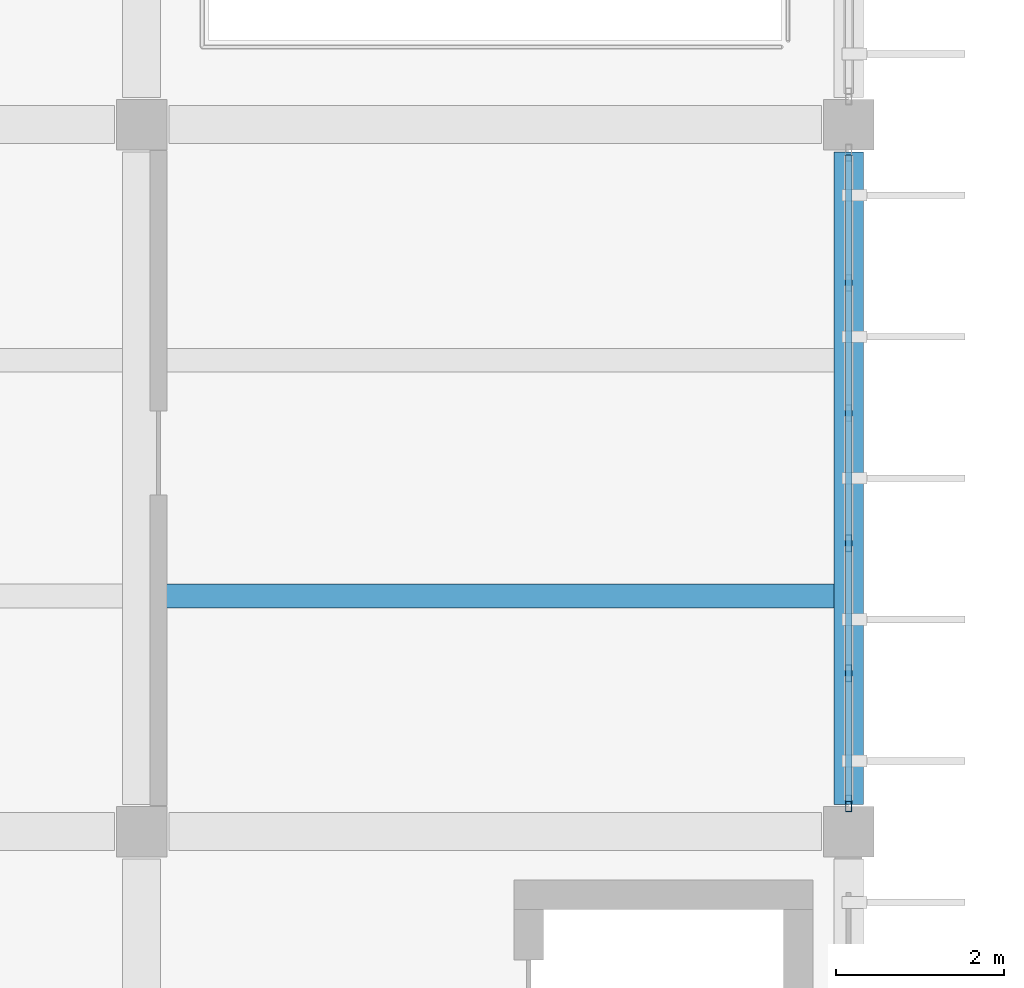
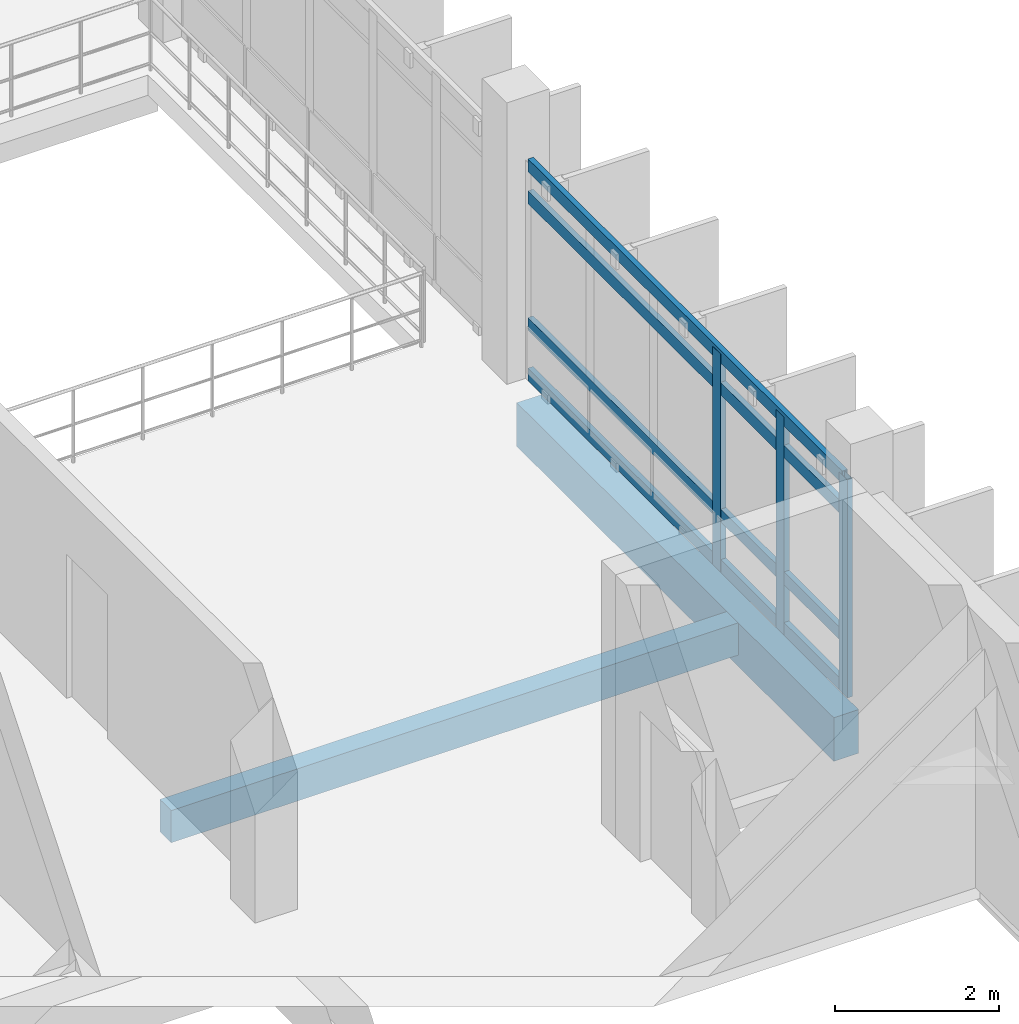
# One storey, part 47 of 130: 7 members, 2 beams, 1 element without a shape of its own.
"""IFC4 building model written with IfcOpenShell, lengths in metres."""

from ifc_helpers import new_model, si_unit, direction, frame, origin, origin_2d, place, context, subcontext, project, spatial, rectangle, hollow_rectangle, extrude, material, layer, layer_set, material_profile, profile_set, type_object, element, aggregate, save


model = new_model("IFC4")

# Units and contexts
model_context = context("Model", 3, precision=1e-05, world=origin(), true_north=direction((0.0, 1.0)))
body_context = subcontext(model_context, "Body", "Model", "MODEL_VIEW")
ifc_project = project(units=[si_unit("LENGTHUNIT", "METRE"), si_unit("AREAUNIT", "SQUARE_METRE"), si_unit("VOLUMEUNIT", "CUBIC_METRE"), si_unit("PLANEANGLEUNIT", "RADIAN"), si_unit("MASSUNIT", "GRAM", prefix="KILO")], contexts=[model_context])

# Site, building, storey
site_placement = place(None, origin())
site = spatial("IfcSite", under=ifc_project, at=site_placement, CompositionType="ELEMENT")
building_placement = place(site_placement, origin())
building = spatial("IfcBuilding", under=site, at=building_placement, Name="Vireocrest Preparatory School", CompositionType="ELEMENT")
storey_placement = place(building_placement, frame((0.0, 0.0, 9.0)))
storey = spatial("IfcBuildingStorey", under=building, at=storey_placement, Name="L02", CompositionType="ELEMENT", Elevation=9.0)

# Curtain wall, members
ifc_material_1 = material(Name="Thermally broken aluminium EN AW-6063-T6", Category="aluminium")
ifc_layer = layer(ifc_material_1, 0.179931640625)
ifc_layer_set = layer_set([ifc_layer], Name="Thermally broken aluminium EN AW-6063-T6")
curtain_wall_type = type_object("IfcCurtainWallType", Name="Teaching Fin Curtain Wall 8400x4200", PredefinedType="USERDEFINED", material=ifc_layer_set)
curtain_wall_placement = place(storey_placement, origin())
curtain_wall = element("IfcCurtainWall", 1, at=curtain_wall_placement, inside=storey, type_object=curtain_wall_type, Name="Curtain Wall CW03 CW_L02_CW03_1092_0525_090", ObjectType="CURTAIN WALL", PredefinedType="USERDEFINED")
ifc_material_profile_1 = material_profile(ifc_material_1, hollow_rectangle(XDim=0.074951171875, YDim=0.199951171875, WallThickness=0.0048828125, at=origin_2d()), Name="ALU 75x200x5")
ifc_profile_set_1 = profile_set([ifc_material_profile_1], Name="Thermally broken aluminium EN AW-6063-T6")
member_type_1 = type_object("IfcMemberType", Name="CW Mullion 75x200x5", PredefinedType="MULLION", material=ifc_profile_set_1)
member_1_placement = place(storey_placement, frame((109.199951171875, 52.534912109375, 0.0), z_axis=(0.0, 0.0, 1.0), x_axis=(1.0, 0.0, 0.0)))
member_1 = element("IfcMember", 2, at=member_1_placement, type_object=member_type_1, Name="CW Mullion ML3 CW_L02_CW03_1092_0525_090-1", PredefinedType="MULLION", context=body_context, shape_type="SweptSolid", body=[
    extrude(hollow_rectangle(XDim=0.074951171875, YDim=0.199951171875, WallThickness=0.0048828125, at=origin_2d()), origin(), (0.0, 0.0, 1.0), 3.2548828125),
])
member_2_placement = place(storey_placement, frame((109.199951171875, 54.0810546875, 0.0), z_axis=(0.0, 0.0, 1.0), x_axis=(1.0, 0.0, 0.0)))
member_2 = element("IfcMember", 3, at=member_2_placement, type_object=member_type_1, Name="CW Mullion ML3 CW_L02_CW03_1092_0525_090-2", PredefinedType="MULLION", context=body_context, shape_type="SweptSolid", body=[
    extrude(hollow_rectangle(XDim=0.074951171875, YDim=0.199951171875, WallThickness=0.0048828125, at=origin_2d()), origin(), (0.0, 0.0, 1.0), 3.2548828125),
])
member_3_placement = place(storey_placement, frame((109.199951171875, 55.626953125, 0.0), z_axis=(0.0, 0.0, 1.0), x_axis=(1.0, 0.0, 0.0)))
member_3 = element("IfcMember", 4, at=member_3_placement, type_object=member_type_1, Name="CW Mullion ML3 CW_L02_CW03_1092_0525_090-3", PredefinedType="MULLION", context=body_context, shape_type="SweptSolid", body=[
    extrude(hollow_rectangle(XDim=0.074951171875, YDim=0.199951171875, WallThickness=0.0048828125, at=origin_2d()), origin(), (0.0, 0.0, 1.0), 3.2548828125),
])
ifc_material_profile_2 = material_profile(ifc_material_1, hollow_rectangle(XDim=0.074951171875, YDim=0.18994140625, WallThickness=0.00390625, at=origin_2d()), Name="ALU 75x190x4")
ifc_profile_set_2 = profile_set([ifc_material_profile_2], Name="Thermally broken aluminium EN AW-6063-T6")
member_type_2 = type_object("IfcMemberType", Name="CW Transom 75x190x4", PredefinedType="USERDEFINED", material=ifc_profile_set_2)
member_4_placement = place(storey_placement, frame((109.199951171875, 52.56005859375, 0.094970703125), z_axis=(0.0, 1.0, 0.0), x_axis=(-1.0, 0.0, 0.0)))
member_4 = element("IfcMember", 5, at=member_4_placement, type_object=member_type_2, Name="CW Transom TR3 CW_L02_CW03_1092_0525_090-1", ObjectType="TRANSOM", PredefinedType="USERDEFINED", context=body_context, shape_type="SweptSolid", body=[
    extrude(hollow_rectangle(XDim=0.074951171875, YDim=0.18994140625, WallThickness=0.00390625, at=origin_2d()), origin(), (0.0, 0.0, 1.0), 7.679931640625),
])
member_5_placement = place(storey_placement, frame((109.199951171875, 52.56005859375, 0.85009765625), z_axis=(0.0, 1.0, 0.0), x_axis=(-1.0, 0.0, 0.0)))
member_5 = element("IfcMember", 6, at=member_5_placement, type_object=member_type_2, Name="CW Transom TR3 CW_L02_CW03_1092_0525_090-2", ObjectType="TRANSOM", PredefinedType="USERDEFINED", context=body_context, shape_type="SweptSolid", body=[
    extrude(hollow_rectangle(XDim=0.074951171875, YDim=0.18994140625, WallThickness=0.00390625, at=origin_2d()), origin(), (0.0, 0.0, 1.0), 7.679931640625),
])
member_6_placement = place(storey_placement, frame((109.199951171875, 52.56005859375, 2.739990234375), z_axis=(0.0, 1.0, 0.0), x_axis=(-1.0, 0.0, 0.0)))
member_6 = element("IfcMember", 7, at=member_6_placement, type_object=member_type_2, Name="CW Transom TR3 CW_L02_CW03_1092_0525_090-3", ObjectType="TRANSOM", PredefinedType="USERDEFINED", context=body_context, shape_type="SweptSolid", body=[
    extrude(hollow_rectangle(XDim=0.074951171875, YDim=0.18994140625, WallThickness=0.00390625, at=origin_2d()), origin(), (0.0, 0.0, 1.0), 7.679931640625),
])
member_7_placement = place(storey_placement, frame((109.199951171875, 52.56005859375, 3.215087890625), z_axis=(0.0, 1.0, 0.0), x_axis=(-1.0, 0.0, 0.0)))
member_7 = element("IfcMember", 8, at=member_7_placement, type_object=member_type_2, Name="CW Transom TR3 CW_L02_CW03_1092_0525_090-4", ObjectType="TRANSOM", PredefinedType="USERDEFINED", context=body_context, shape_type="SweptSolid", body=[
    extrude(hollow_rectangle(XDim=0.074951171875, YDim=0.18994140625, WallThickness=0.00390625, at=origin_2d()), origin(), (0.0, 0.0, 1.0), 7.679931640625),
])
aggregate(curtain_wall, [member_1, member_2, member_3, member_4, member_5, member_6, member_7])

# Beams
ifc_material_2 = material(Name="Concrete 40 MPa", Category="concrete")
ifc_material_profile_3 = material_profile(ifc_material_2, rectangle(XDim=0.35009765625, YDim=0.64990234375, at=origin_2d()), Name="RC 350x650")
ifc_profile_set_3 = profile_set([ifc_material_profile_3], Name="Concrete 40 MPa")
beam_type_1 = type_object("IfcBeamType", Name="RC Classroom Girder 350x650", PredefinedType="BEAM", material=ifc_profile_set_3)
beam_1_placement = place(storey_placement, frame((109.199951171875, 52.52490234375, -0.625), z_axis=(0.0, 1.0, 0.0), x_axis=(-1.0, 0.0, 0.0)))
element("IfcBeam", 9, at=beam_1_placement, inside=storey, type_object=beam_type_1, Name="Primary Girder B05 L02-0862", PredefinedType="BEAM", context=body_context, shape_type="SweptSolid", body=[
    extrude(rectangle(XDim=0.35009765625, YDim=0.64990234375, at=origin_2d()), origin(), (0.0, 0.0, 1.0), 7.75),
])
ifc_material_profile_4 = material_profile(ifc_material_2, rectangle(XDim=0.280029296875, YDim=0.47998046875, at=origin_2d()), Name="RC 280x480")
ifc_profile_set_4 = profile_set([ifc_material_profile_4], Name="Concrete 40 MPa")
beam_type_2 = type_object("IfcBeamType", Name="RC Secondary Lab Joist 280x480", PredefinedType="JOIST", material=ifc_profile_set_4)
beam_2_placement = place(storey_placement, frame((101.02490234375, 55.0, -0.5400390625), z_axis=(1.0, 0.0, 0.0), x_axis=(0.0, 1.0, 0.0)))
element("IfcBeam", 10, at=beam_2_placement, inside=storey, type_object=beam_type_2, Name="Secondary Joist J02 L02-0994", PredefinedType="JOIST", context=body_context, shape_type="SweptSolid", body=[
    extrude(rectangle(XDim=0.280029296875, YDim=0.47998046875, at=origin_2d()), origin(), (0.0, 0.0, 1.0), 8.0),
])

save(model, "model.ifc")
